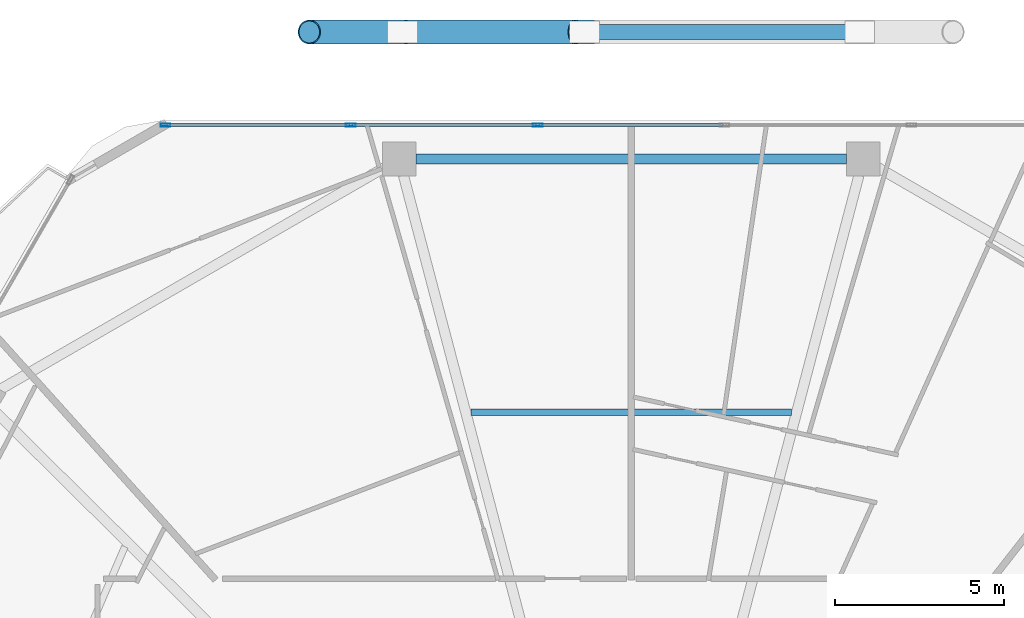
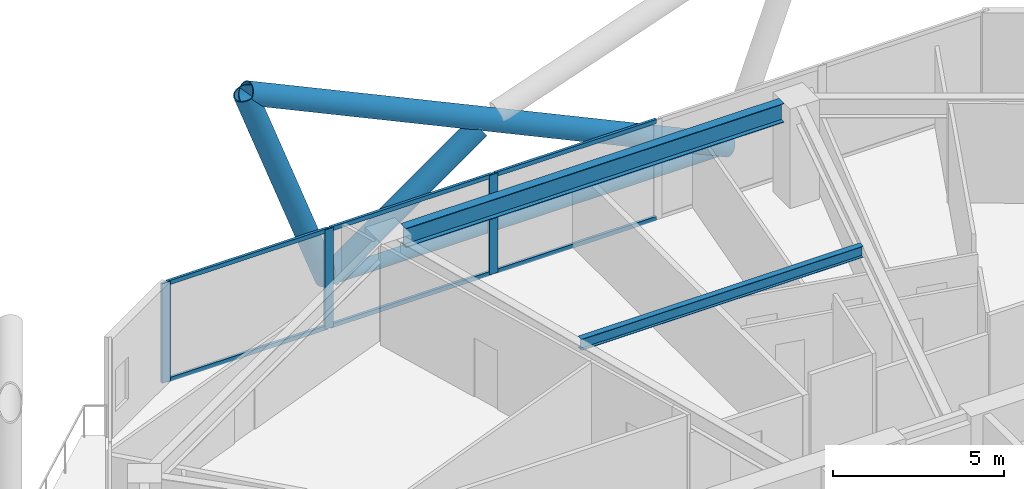
# One storey, part 14 of 28: 13 members, 2 beams, 1 element without a shape of its own.
"""IFC4 building model written with IfcOpenShell, lengths in metres."""

from ifc_helpers import new_model, si_unit, direction, frame, origin, origin_2d, place, context, subcontext, project, spatial, hollow_rectangle, hollow_circle, i_section, extrude, material, material_profile, profile_set, type_object, element, aggregate, save


model = new_model("IFC4")

# Units and contexts
model_context = context("Model", 3, precision=1e-05, world=origin(), true_north=direction((0.0, 1.0)))
body_context = subcontext(model_context, "Body", "Model", "MODEL_VIEW")
ifc_project = project(units=[si_unit("LENGTHUNIT", "METRE"), si_unit("AREAUNIT", "SQUARE_METRE"), si_unit("VOLUMEUNIT", "CUBIC_METRE"), si_unit("PLANEANGLEUNIT", "RADIAN"), si_unit("MASSUNIT", "GRAM", prefix="KILO")], contexts=[model_context])

# Site, building, storey
site_placement = place(None, origin())
site = spatial("IfcSite", under=ifc_project, at=site_placement, CompositionType="ELEMENT")
building_placement = place(site_placement, origin())
building = spatial("IfcBuilding", under=site, at=building_placement, Name="Zuhravey Tower", CompositionType="ELEMENT")
storey_placement = place(building_placement, frame((0.0, 0.0, 154.199951171875)))
storey = spatial("IfcBuildingStorey", under=building, at=storey_placement, Name="L38", CompositionType="ELEMENT", Elevation=154.199951171875)

# Curtain wall, members
ifc_material_1 = material(Name="Thermally broken anodised aluminium", Category="aluminium")
curtain_wall_type = type_object("IfcCurtainWallType", Name="Zone 1-2 Residential Curtain Wall CW3", PredefinedType="NOTDEFINED", material=ifc_material_1)
curtain_wall_placement = place(storey_placement, origin())
curtain_wall = element("IfcCurtainWall", 1, at=curtain_wall_placement, inside=storey, type_object=curtain_wall_type, Name="L38 CW3 CW-L38-F2-1", PredefinedType="NOTDEFINED")
ifc_material_2 = material(Name="Anodised aluminium", Category="aluminium")
ifc_material_profile_1 = material_profile(ifc_material_2, hollow_rectangle(XDim=0.090087890625, YDim=0.284912109375, WallThickness=0.0048828125, at=origin_2d()), Name="ALU-RHS-90x285x5")
ifc_profile_set_1 = profile_set([ifc_material_profile_1], Name="Anodised aluminium")
member_type_1 = type_object("IfcMemberType", Name="Curtain-Wall Mullion 90x180", PredefinedType="MULLION", material=ifc_profile_set_1)
member_1_placement = place(storey_placement, frame((22.183837890625, 59.18310546875, 0.0), z_axis=(0.0, 0.0, 1.0), x_axis=(0.0, 1.0, 0.0)))
member_1 = element("IfcMember", 2, at=member_1_placement, type_object=member_type_1, Name="CW3 mullion 1", PredefinedType="MULLION", context=body_context, shape_type="SweptSolid", body=[
    extrude(hollow_rectangle(XDim=0.090087890625, YDim=0.284912109375, WallThickness=0.0048828125, at=origin_2d()), origin(), (0.0, 0.0, 1.0), 3.550048828125),
])
member_2_placement = place(storey_placement, frame((27.683349609375, 59.18310546875, 0.0), z_axis=(0.0, 0.0, 1.0), x_axis=(0.0, 1.0, 0.0)))
member_2 = element("IfcMember", 3, at=member_2_placement, type_object=member_type_1, Name="CW3 mullion 2", PredefinedType="MULLION", context=body_context, shape_type="SweptSolid", body=[
    extrude(hollow_rectangle(XDim=0.090087890625, YDim=0.284912109375, WallThickness=0.0048828125, at=origin_2d()), origin(), (0.0, 0.0, 1.0), 3.550048828125),
])
member_3_placement = place(storey_placement, frame((33.227783203125, 59.18310546875, 0.0), z_axis=(0.0, 0.0, 1.0), x_axis=(0.0, 1.0, 0.0)))
member_3 = element("IfcMember", 4, at=member_3_placement, type_object=member_type_1, Name="CW3 mullion 3", PredefinedType="MULLION", context=body_context, shape_type="SweptSolid", body=[
    extrude(hollow_rectangle(XDim=0.090087890625, YDim=0.284912109375, WallThickness=0.0048828125, at=origin_2d()), origin(), (0.0, 0.0, 1.0), 3.550048828125),
])
ifc_material_profile_2 = material_profile(ifc_material_2, hollow_rectangle(XDim=0.090087890625, YDim=0.14990234375, WallThickness=0.0048828125, at=origin_2d()), Name="ALU-RHS-90x150x5")
ifc_profile_set_2 = profile_set([ifc_material_profile_2], Name="Anodised aluminium")
member_type_2 = type_object("IfcMemberType", Name="Curtain-Wall Transom 90x150", PredefinedType="USERDEFINED", material=ifc_profile_set_2)
member_4_placement = place(storey_placement, frame((22.22900390625, 59.18310546875, 0.045166015625), z_axis=(1.0, 0.0, 0.0), x_axis=(0.0, 1.0, 0.0)))
member_4 = element("IfcMember", 5, at=member_4_placement, type_object=member_type_2, Name="CW3 transom 1.1", ObjectType="TRANSOM", PredefinedType="USERDEFINED", context=body_context, shape_type="SweptSolid", body=[
    extrude(hollow_rectangle(XDim=0.090087890625, YDim=0.14990234375, WallThickness=0.0048828125, at=origin_2d()), origin(), (0.0, 0.0, 1.0), 5.409423828125),
])
member_5_placement = place(storey_placement, frame((22.22900390625, 59.18310546875, 3.505126953125), z_axis=(1.0, 0.0, 0.0), x_axis=(0.0, 1.0, 0.0)))
member_5 = element("IfcMember", 6, at=member_5_placement, type_object=member_type_2, Name="CW3 transom 1.2", ObjectType="TRANSOM", PredefinedType="USERDEFINED", context=body_context, shape_type="SweptSolid", body=[
    extrude(hollow_rectangle(XDim=0.090087890625, YDim=0.14990234375, WallThickness=0.0048828125, at=origin_2d()), origin(), (0.0, 0.0, 1.0), 5.409423828125),
])
member_6_placement = place(storey_placement, frame((27.728271484375, 59.18310546875, 0.045166015625), z_axis=(1.0, 0.0, 0.0), x_axis=(0.0, 1.0, 0.0)))
member_6 = element("IfcMember", 7, at=member_6_placement, type_object=member_type_2, Name="CW3 transom 2.1", ObjectType="TRANSOM", PredefinedType="USERDEFINED", context=body_context, shape_type="SweptSolid", body=[
    extrude(hollow_rectangle(XDim=0.090087890625, YDim=0.14990234375, WallThickness=0.0048828125, at=origin_2d()), origin(), (0.0, 0.0, 1.0), 5.45458984375),
])
member_7_placement = place(storey_placement, frame((27.728271484375, 59.18310546875, 3.505126953125), z_axis=(1.0, 0.0, 0.0), x_axis=(0.0, 1.0, 0.0)))
member_7 = element("IfcMember", 8, at=member_7_placement, type_object=member_type_2, Name="CW3 transom 2.2", ObjectType="TRANSOM", PredefinedType="USERDEFINED", context=body_context, shape_type="SweptSolid", body=[
    extrude(hollow_rectangle(XDim=0.090087890625, YDim=0.14990234375, WallThickness=0.0048828125, at=origin_2d()), origin(), (0.0, 0.0, 1.0), 5.45458984375),
])
member_8_placement = place(storey_placement, frame((33.272705078125, 59.18310546875, 0.045166015625), z_axis=(1.0, 0.0, 0.0), x_axis=(0.0, 1.0, 0.0)))
member_8 = element("IfcMember", 9, at=member_8_placement, type_object=member_type_2, Name="CW3 transom 3.1", ObjectType="TRANSOM", PredefinedType="USERDEFINED", context=body_context, shape_type="SweptSolid", body=[
    extrude(hollow_rectangle(XDim=0.090087890625, YDim=0.14990234375, WallThickness=0.0048828125, at=origin_2d()), origin(), (0.0, 0.0, 1.0), 5.45458984375),
])
member_9_placement = place(storey_placement, frame((33.272705078125, 59.18310546875, 3.505126953125), z_axis=(1.0, 0.0, 0.0), x_axis=(0.0, 1.0, 0.0)))
member_9 = element("IfcMember", 10, at=member_9_placement, type_object=member_type_2, Name="CW3 transom 3.2", ObjectType="TRANSOM", PredefinedType="USERDEFINED", context=body_context, shape_type="SweptSolid", body=[
    extrude(hollow_rectangle(XDim=0.090087890625, YDim=0.14990234375, WallThickness=0.0048828125, at=origin_2d()), origin(), (0.0, 0.0, 1.0), 5.45458984375),
])
aggregate(curtain_wall, [member_1, member_2, member_3, member_4, member_5, member_6, member_7, member_8, member_9])

# Members
ifc_material_3 = material(Name="Steel SM355", Category="steel")
ifc_material_profile_3 = material_profile(ifc_material_3, hollow_circle(Radius=0.228515625, WallThickness=0.02197265625, at=origin_2d()), Name="CHS-457.2x22")
ifc_profile_set_3 = profile_set([ifc_material_profile_3], Name="Steel SM355")
member_type_3 = type_object("IfcMemberType", Name="Exoskeleton Ring Tie CHS457x22", PredefinedType="CHORD", material=ifc_profile_set_3)
member_10_placement = place(storey_placement, frame((42.64111328125, 61.943115234375, -0.4638671875), z_axis=(-1.0, 0.0, 0.0), x_axis=(0.0, -1.0, 0.0)))
element("IfcMember", 11, at=member_10_placement, inside=storey, type_object=member_type_3, Name="L38 Exoskeleton Face 2 Tie EXR1", PredefinedType="CHORD", context=body_context, shape_type="SweptSolid", body=[
    extrude(hollow_circle(Radius=0.228515625, WallThickness=0.02197265625, at=origin_2d()), origin(), (0.0, 0.0, 1.0), 13.2822265625),
])
ifc_material_4 = material(Name="Steel SM460", Category="steel")
ifc_material_profile_4 = material_profile(ifc_material_4, hollow_circle(Radius=0.355712890625, WallThickness=0.031982421875, at=origin_2d()), Name="CHS-711.2x32")
ifc_profile_set_4 = profile_set([ifc_material_profile_4], Name="Steel SM460")
member_type_4 = type_object("IfcMemberType", Name="Exoskeleton Zone 2 Diagrid CHS711x32", PredefinedType="BRACE", material=ifc_profile_set_4)
member_11_placement = place(storey_placement, frame((42.738037109375, 61.943115234375, -0.44384765625), z_axis=(-0.90668537264, 0.0, 0.421807580586), x_axis=(0.0, -1.0, 0.0)))
element("IfcMember", 12, at=member_11_placement, inside=storey, type_object=member_type_4, Name="L38 Face 2 Diagrid Brace 2", PredefinedType="BRACE", context=body_context, shape_type="SweptSolid", body=[
    extrude(hollow_circle(Radius=0.355712890625, WallThickness=0.031982421875, at=origin_2d()), origin(), (0.0, 0.0, 1.0), 17.92236328125),
])
member_12_placement = place(storey_placement, frame((29.211669921875, 61.943115234375, -0.44384765625), z_axis=(-0.342868163771, 0.0, 0.939383533107), x_axis=(0.0, -1.0, 0.0)))
element("IfcMember", 13, at=member_12_placement, inside=storey, type_object=member_type_4, Name="L38 Face 2 Diagrid Brace 4", PredefinedType="BRACE", context=body_context, shape_type="SweptSolid", body=[
    extrude(hollow_circle(Radius=0.355712890625, WallThickness=0.031982421875, at=origin_2d()), origin(), (0.0, 0.0, 1.0), 8.047607421875),
])
member_13_placement = place(storey_placement, frame((29.2578125, 61.943115234375, -0.4365234375), z_axis=(0.817520323623, 0.0, 0.575899748622), x_axis=(0.0, 1.0, 0.0)))
element("IfcMember", 14, at=member_13_placement, inside=storey, type_object=member_type_4, Name="L38 Face 2 Split Diagrid Brace 3A", PredefinedType="BRACE", context=body_context, shape_type="SweptSolid", body=[
    extrude(hollow_circle(Radius=0.355712890625, WallThickness=0.031982421875, at=origin_2d()), origin(), (0.0, 0.0, 1.0), 6.205078125),
])

# Beams
ifc_material_profile_5 = material_profile(ifc_material_3, i_section(OverallWidth=0.300048828125, OverallDepth=0.679931640625, WebThickness=0.012939453125, FlangeThickness=0.02197265625, at=origin_2d()), Name="H-680x300x13x22")
ifc_profile_set_5 = profile_set([ifc_material_profile_5], Name="Steel SM355")
beam_type_1 = type_object("IfcBeamType", Name="Perimeter Ring Beam H680x300", PredefinedType="BEAM", material=ifc_profile_set_5)
beam_1_placement = place(storey_placement, frame((42.37890625, 58.173095703125, 3.2099609375), z_axis=(-1.0, 0.0, 0.0), x_axis=(0.0, -1.0, 0.0)))
element("IfcBeam", 15, at=beam_1_placement, inside=storey, type_object=beam_type_1, Name="L38 PB2 BM-L38-PB-03", PredefinedType="BEAM", context=body_context, shape_type="SweptSolid", body=[
    extrude(i_section(OverallWidth=0.300048828125, OverallDepth=0.679931640625, WebThickness=0.012939453125, FlangeThickness=0.02197265625, at=origin_2d()), origin(), (0.0, 0.0, 1.0), 12.7578125),
])
ifc_material_profile_6 = material_profile(ifc_material_3, i_section(OverallWidth=0.199951171875, OverallDepth=0.39990234375, WebThickness=0.008056640625, FlangeThickness=0.012939453125, at=origin_2d()), Name="H-400x200x8x13")
ifc_profile_set_6 = profile_set([ifc_material_profile_6], Name="Steel SM355")
beam_type_2 = type_object("IfcBeamType", Name="Secondary Floor Joist H400x200", PredefinedType="JOIST", material=ifc_profile_set_6)
beam_2_placement = place(storey_placement, frame((40.754150390625, 50.665771484375, 3.35009765625), z_axis=(-1.0, 0.0, 0.0), x_axis=(0.0, -1.0, 0.0)))
element("IfcBeam", 16, at=beam_2_placement, inside=storey, type_object=beam_type_2, Name="L38 SJ2 BM-L38-SJ-03-1", PredefinedType="JOIST", context=body_context, shape_type="SweptSolid", body=[
    extrude(i_section(OverallWidth=0.199951171875, OverallDepth=0.39990234375, WebThickness=0.008056640625, FlangeThickness=0.012939453125, at=origin_2d()), origin(), (0.0, 0.0, 1.0), 9.50830078125),
])

save(model, "model.ifc")
